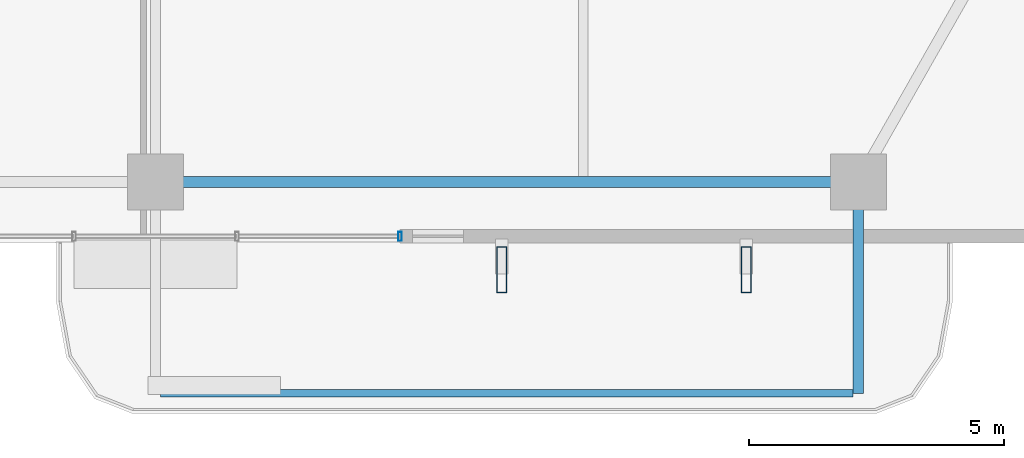
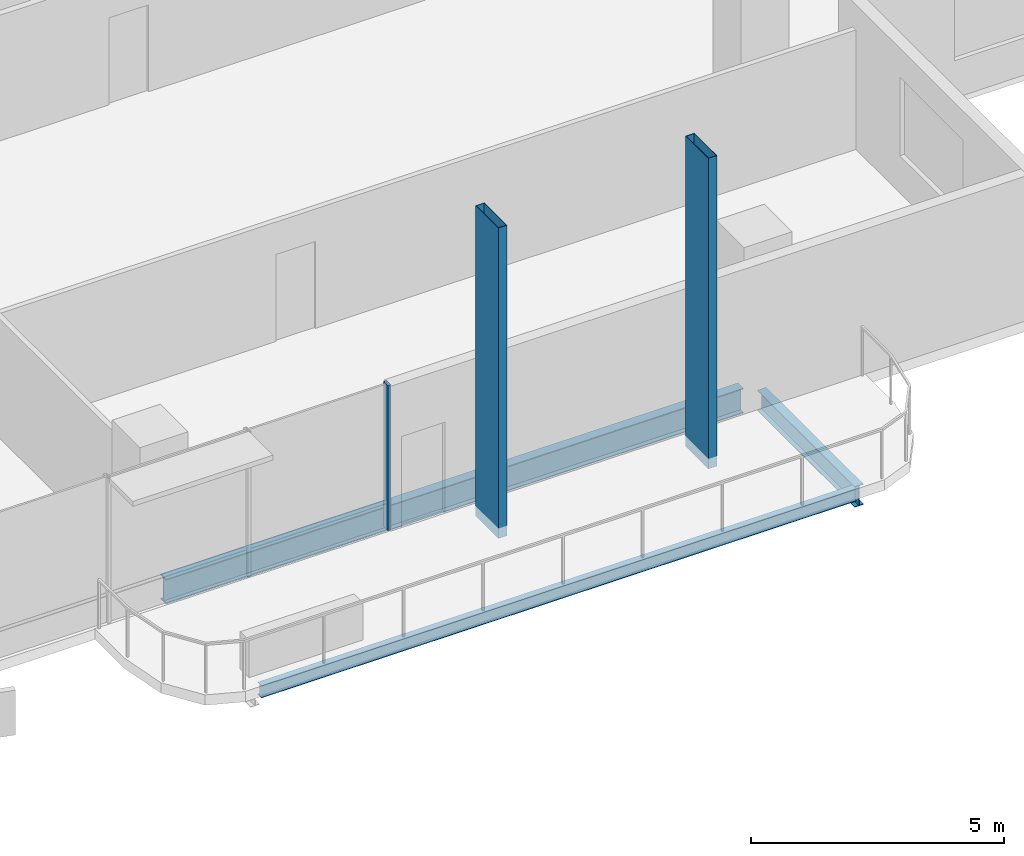
# One storey, part 6 of 24: 3 beams, 3 members, 1 element without a shape of its own.
"""IFC4 building model written with IfcOpenShell, lengths in metres."""

from ifc_helpers import new_model, si_unit, direction, frame, origin, origin_2d, place, context, subcontext, project, spatial, hollow_rectangle, i_section, extrude, material, layer, layer_set, material_profile, profile_set, type_object, element, aggregate, save


model = new_model("IFC4")

# Units and contexts
model_context = context("Model", 3, precision=1e-05, world=origin(), true_north=direction((0.0, 1.0)))
body_context = subcontext(model_context, "Body", "Model", "MODEL_VIEW")
ifc_project = project(units=[si_unit("LENGTHUNIT", "METRE"), si_unit("AREAUNIT", "SQUARE_METRE"), si_unit("VOLUMEUNIT", "CUBIC_METRE"), si_unit("PLANEANGLEUNIT", "RADIAN"), si_unit("MASSUNIT", "GRAM", prefix="KILO")], contexts=[model_context])

# Site, building, storey
site_placement = place(None, origin())
site = spatial("IfcSite", under=ifc_project, at=site_placement, CompositionType="ELEMENT")
building_placement = place(site_placement, origin())
building = spatial("IfcBuilding", under=site, at=building_placement, Name="Belovzor Exchange Tower", CompositionType="ELEMENT")
storey_placement = place(building_placement, frame((0.0, 0.0, 211.199951171875)))
storey = spatial("IfcBuildingStorey", under=building, at=storey_placement, Name="L52", CompositionType="ELEMENT", Elevation=211.199951171875)

# Beams
ifc_material_1 = material(Name="Steel S355", Category="steel")
ifc_material_profile_1 = material_profile(ifc_material_1, i_section(OverallWidth=0.199951171875, OverallDepth=0.5, WebThickness=0.01025390625, FlangeThickness=0.01611328125, at=origin_2d()))
ifc_profile_set_1 = profile_set([ifc_material_profile_1], Name="Steel S355")
beam_type_1 = type_object("IfcBeamType", Name="Planted Balcony Cantilever Beam IPE 500", PredefinedType="BEAM", material=ifc_profile_set_1)
beam_1_placement = place(storey_placement, frame((42.60009765625, 2.697021484375, -0.5), z_axis=(0.0, -1.0, 0.0), x_axis=(1.0, 0.0, 0.0)))
element("IfcBeam", 1, at=beam_1_placement, inside=storey, type_object=beam_type_1, Name="BC-500 Planted Balcony Cantilever Beam IPE 500", PredefinedType="BEAM", context=body_context, shape_type="SweptSolid", body=[
    extrude(i_section(OverallWidth=0.199951171875, OverallDepth=0.5, WebThickness=0.01025390625, FlangeThickness=0.01611328125, at=origin_2d()), origin(), (0.0, 0.0, 1.0), 3.85009765625),
])
ifc_material_2 = material(Name="Steel S355", Category="steel")
ifc_material_profile_2 = material_profile(ifc_material_2, i_section(OverallWidth=0.14990234375, OverallDepth=0.300048828125, WebThickness=0.007080078125, FlangeThickness=0.0107421875, at=origin_2d()))
ifc_profile_set_2 = profile_set([ifc_material_profile_2], Name="Steel S355")
beam_type_2 = type_object("IfcBeamType", Name="Planted Balcony Fascia Edge Beam IPE 300", PredefinedType="BEAM", material=ifc_profile_set_2)
beam_2_placement = place(storey_placement, frame((28.89990234375, -1.153076171875, -0.39990234375), z_axis=(1.0, 0.0, 0.0), x_axis=(0.0, 1.0, 0.0)))
element("IfcBeam", 2, at=beam_2_placement, inside=storey, type_object=beam_type_2, Name="BC-300 Planted Balcony Fascia Edge Beam IPE 300", PredefinedType="BEAM", context=body_context, shape_type="SweptSolid", body=[
    extrude(i_section(OverallWidth=0.14990234375, OverallDepth=0.300048828125, WebThickness=0.007080078125, FlangeThickness=0.0107421875, at=origin_2d()), origin(), (0.0, 0.0, 1.0), 13.60009765625),
])

# Members
ifc_material_3 = material(Name="Extruded Architectural Terracotta on Steel S355 Carrier", Category="masonry")
ifc_material_profile_3 = material_profile(ifc_material_3, hollow_rectangle(XDim=0.199951171875, YDim=0.89990234375, WallThickness=0.011962890625, at=origin_2d()))
ifc_profile_set_3 = profile_set([ifc_material_profile_3], Name="Extruded Architectural Terracotta on Steel S355 Carrier")
member_type_1 = type_object("IfcMemberType", Name="Sweeping Terracotta Baguette Fin Assembly 950", PredefinedType="USERDEFINED", material=ifc_profile_set_3)
for number, where, z_axis, x_axis, name in (
    (3, (35.60009765625, 1.27490234375, -0.25), (0.0, 0.0, 1.0), (1.0, 0.0, 0.0), "FIN-TC095 Terracotta Facade Fin L52 S3"),
    (4, (40.39990234375, 1.27490234375, -0.25), (0.0, 0.0, 1.0), (1.0, 0.0, 0.0), "FIN-TC095 Terracotta Facade Fin L52 S4"),
):
    element("IfcMember", number, at=place(storey_placement, frame(where, z_axis=z_axis, x_axis=x_axis)), inside=storey, type_object=member_type_1, Name=name, ObjectType="FIN", PredefinedType="USERDEFINED", context=body_context, shape_type="SweptSolid", body=[
        extrude(hollow_rectangle(XDim=0.199951171875, YDim=0.89990234375, WallThickness=0.011962890625, at=origin_2d()), origin(), (0.0, 0.0, 1.0), 7.5),
    ])

# Curtain wall, member
ifc_material_4 = material(Name="Anodised Aluminium Framing", Category="aluminium")
ifc_layer = layer(ifc_material_4, 0.179931640625)
ifc_layer_set = layer_set([ifc_layer], Name="Anodised Aluminium Framing")
curtain_wall_type = type_object("IfcCurtainWallType", Name="Recessed Loggia Low-Iron Triple-Glazed Curtain Wall", PredefinedType="NOTDEFINED", material=ifc_layer_set)
curtain_wall_placement = place(storey_placement, origin())
curtain_wall = element("IfcCurtainWall", 5, at=curtain_wall_placement, inside=storey, type_object=curtain_wall_type, Name="CW3 Recessed Loggia Low-Iron Triple-Glazed Curtain Wall L52", PredefinedType="NOTDEFINED")
ifc_material_5 = material(Name="Steel S355", Category="steel")
ifc_material_profile_4 = material_profile(ifc_material_5, hollow_rectangle(XDim=0.074951171875, YDim=0.179931640625, WallThickness=0.0048828125, at=origin_2d()))
ifc_profile_set_4 = profile_set([ifc_material_profile_4], Name="Steel S355")
member_type_2 = type_object("IfcMemberType", Name="Thermally Broken Curtain Wall Mullion 180x75", PredefinedType="MULLION", material=ifc_profile_set_4)
member_placement = place(storey_placement, frame((33.60009765625, 1.929931640625, 0.0), z_axis=(0.0, 0.0, 1.0), x_axis=(-1.0, 0.0, 0.0)))
member = element("IfcMember", 6, at=member_placement, type_object=member_type_2, Name="CW-M180 Curtain Wall Mullion 1", PredefinedType="MULLION", context=body_context, shape_type="SweptSolid", body=[
    extrude(hollow_rectangle(XDim=0.074951171875, YDim=0.179931640625, WallThickness=0.0048828125, at=origin_2d()), origin(), (0.0, 0.0, 1.0), 3.5),
])
aggregate(curtain_wall, [member])

# Beam
ifc_material_6 = material(Name="Steel S355", Category="steel")
ifc_material_profile_5 = material_profile(ifc_material_6, i_section(OverallWidth=0.219970703125, OverallDepth=0.60009765625, WebThickness=0.011962890625, FlangeThickness=0.01904296875, at=origin_2d()))
ifc_profile_set_5 = profile_set([ifc_material_profile_5], Name="Steel S355")
beam_type_3 = type_object("IfcBeamType", Name="Zone 4 Flare Primary Girder IPE 600", PredefinedType="BEAM", material=ifc_profile_set_5)
beam_3_placement = place(storey_placement, frame((29.10205078125, 3.0, -0.550048828125), z_axis=(1.0, 0.0, 0.0), x_axis=(0.0, 1.0, 0.0)))
element("IfcBeam", 7, at=beam_3_placement, inside=storey, type_object=beam_type_3, Name="FG-Z4 Zone 4 Flare Primary Girder IPE 600", PredefinedType="BEAM", context=body_context, shape_type="SweptSolid", body=[
    extrude(i_section(OverallWidth=0.219970703125, OverallDepth=0.60009765625, WebThickness=0.011962890625, FlangeThickness=0.01904296875, at=origin_2d()), origin(), (0.0, 0.0, 1.0), 13.195068359375),
])

save(model, "model.ifc")
